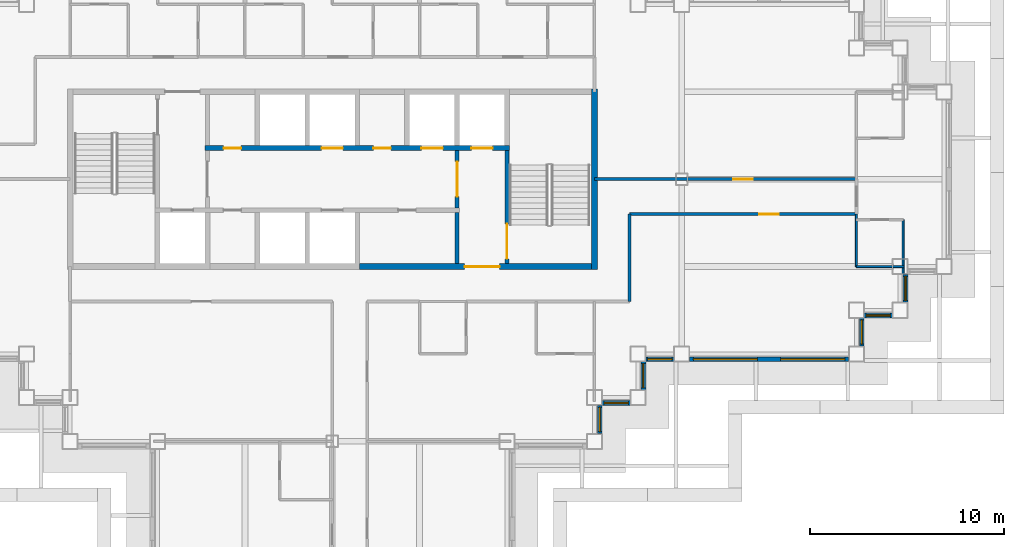
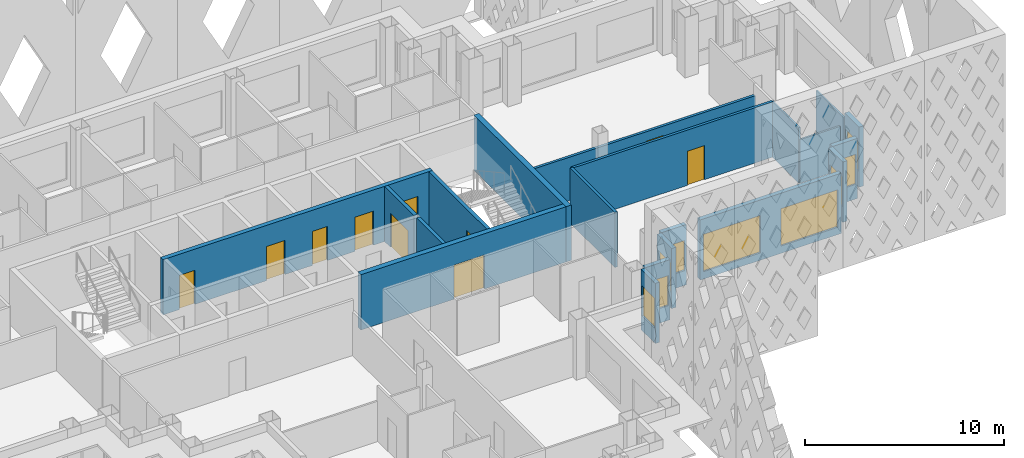
# One storey, part 6 of 18: 20 walls, 10 doors, 9 windows, 19 openings.
"""IFC4 building model written with IfcOpenShell, lengths in metres."""

from ifc_helpers import new_model, si_unit, direction, frame, frame_2d, origin, place, context, subcontext, project, spatial, rectangle, extrude, material, layer, layer_set, type_object, element, fill, save


model = new_model("IFC4")

# Units and contexts
model_context = context("Model", 3, precision=1e-05, world=origin(), true_north=direction((0.0, 1.0)))
body_context = subcontext(model_context, "Body", "Model", "MODEL_VIEW")
ifc_project = project(units=[si_unit("LENGTHUNIT", "METRE"), si_unit("AREAUNIT", "SQUARE_METRE"), si_unit("VOLUMEUNIT", "CUBIC_METRE"), si_unit("PLANEANGLEUNIT", "RADIAN"), si_unit("MASSUNIT", "GRAM", prefix="KILO")], contexts=[model_context])

# Site, building, storey
site_placement = place(None, origin())
site = spatial("IfcSite", under=ifc_project, at=site_placement, CompositionType="ELEMENT")
building_placement = place(site_placement, origin())
building = spatial("IfcBuilding", under=site, at=building_placement, Name="Caravel Reach Hotel and Residences", CompositionType="ELEMENT")
storey_placement = place(building_placement, frame((0.0, 0.0, 165.39990234375)))
storey = spatial("IfcBuildingStorey", under=building, at=storey_placement, Name="L41", CompositionType="ELEMENT", Elevation=165.39990234375)

# Wall
ifc_material_1 = material(Name="Autoclaved aerated block wall")
ifc_layer_1 = layer(ifc_material_1, 0.199951171875)
ifc_layer_set_1 = layer_set([ifc_layer_1], Name="Compartment wall 200 mm EI 120")
wall_type_1 = type_object("IfcWallType", Name="Compartment wall 200 mm EI 120", PredefinedType="PARTITIONING", material=ifc_layer_set_1)
wall_1_placement = place(storey_placement, frame((37.928466796875, 22.64990234375, 0.0), z_axis=(0.0, 0.0, 1.0), x_axis=(0.0, 1.0, 0.0)))
element("IfcWall", 1, at=wall_1_placement, inside=storey, type_object=wall_type_1, Name="L41 store partition", PredefinedType="PARTITIONING", context=body_context, shape_type="SweptSolid", body=[
    extrude(rectangle(XDim=2.625, YDim=0.199951171875, at=frame_2d((1.3125, 0.0))), origin(), (0.0, 0.0, 1.0), 3.400146484375),
])

# Wall, opening, door
ifc_material_2 = material(Name="Concrete C60", Category="concrete")
ifc_layer_2 = layer(ifc_material_2, 0.300048828125)
ifc_layer_set_2 = layer_set([ifc_layer_2], Name="Core wall 300 mm EI 120")
wall_type_2 = type_object("IfcWallType", Name="Core wall 300 mm EI 120", PredefinedType="SHEAR", material=ifc_layer_set_2)
wall_2_placement = place(storey_placement, frame((32.91064453125, 22.5, 0.0), z_axis=(0.0, 0.0, 1.0), x_axis=(1.0, 0.0, 0.0)))
wall_2 = element("IfcWall", 2, at=wall_2_placement, inside=storey, type_object=wall_type_2, Name="L41 core wall S3", PredefinedType="SHEAR", context=body_context, shape_type="SweptSolid", body=[
    extrude(rectangle(XDim=11.939453125, YDim=0.300048828125, at=frame_2d((5.9697265625, 0.0))), origin(), (0.0, 0.0, 1.0), 3.400146484375),
])
opening_1_placement = place(wall_2_placement, frame((5.403564453125, 0.0, 0.0)))
opening_1 = element("IfcOpeningElement", 3, at=opening_1_placement, cuts=wall_2, Name="Opening D41-015", PredefinedType="OPENING", context=body_context, shape_type="SweptSolid", body=[
    extrude(rectangle(XDim=1.800048828125, YDim=2.10009765625, at=frame_2d((0.89990234375, 1.050048828125))), frame((0.0, 0.159912109375, 0.0), z_axis=(0.0, -1.0, 0.0), x_axis=(1.0, 0.0, 0.0)), (0.0, 0.0, 1.0), 0.320068359375),
])
ifc_material_3 = material(Name="Steel fire door leaf", Category="steel")
door_type_1 = type_object("IfcDoorType", Name="Fire lobby door pair 1800 x 2100 EI 90", OperationType="DOUBLE_DOOR_SINGLE_SWING", PredefinedType="DOOR", material=ifc_material_3)
door_1_placement = place(opening_1_placement, origin())
door_1 = element("IfcDoor", 4, at=door_1_placement, inside=storey, type_object=door_type_1, Name="lobby S door pair to corridor", OperationType="DOUBLE_DOOR_SINGLE_SWING", OverallHeight=2.10009765625, OverallWidth=1.800048828125, PredefinedType="DOOR", context=body_context, shape_type="SweptSolid", body=[
    extrude(rectangle(XDim=1.800048828125, YDim=2.10009765625, at=frame_2d((0.89990234375, 1.050048828125))), frame((0.0, 0.02490234375, 0.0), z_axis=(0.0, -1.0, 0.0), x_axis=(1.0, 0.0, 0.0)), (0.0, 0.0, 1.0), 0.050048828125),
])
fill(opening_1, door_1)

# Wall
wall_3_placement = place(storey_placement, frame((45.0, 22.35009765625, 0.0), z_axis=(0.0, 0.0, 1.0), x_axis=(0.0, 1.0, 0.0)))
element("IfcWall", 5, at=wall_3_placement, inside=storey, type_object=wall_type_2, Name="L41 core wall E", PredefinedType="SHEAR", context=body_context, shape_type="SweptSolid", body=[
    extrude(rectangle(XDim=9.2998046875, YDim=0.300048828125, at=frame_2d((4.64990234375, 0.0))), origin(), (0.0, 0.0, 1.0), 3.400146484375),
])

# Wall, opening, door
ifc_material_4 = material(Name="Gypsum board on steel stud, fire-rated", Category="steel")
ifc_layer_3 = layer(ifc_material_4, 0.14990234375)
ifc_layer_set_3 = layer_set([ifc_layer_3], Name="Corridor wall 150 mm EI 60")
wall_type_3 = type_object("IfcWallType", Name="Corridor wall 150 mm EI 60", PredefinedType="PARTITIONING", material=ifc_layer_set_3)
wall_4_placement = place(storey_placement, frame((46.801025390625, 25.199951171875, 0.0), z_axis=(0.0, 0.0, 1.0), x_axis=(1.0, 0.0, 0.0)))
wall_4 = element("IfcWall", 6, at=wall_4_placement, inside=storey, type_object=wall_type_3, Name="L41 wall w006", PredefinedType="PARTITIONING", context=body_context, shape_type="SweptSolid", body=[
    extrude(rectangle(XDim=11.698974609375, YDim=0.14990234375, at=frame_2d((5.849609375, 0.0))), origin(), (0.0, 0.0, 1.0), 3.400146484375),
])
opening_2_placement = place(wall_4_placement, frame((6.697998046875, 0.0, 0.0)))
opening_2 = element("IfcOpeningElement", 7, at=opening_2_placement, cuts=wall_4, Name="Opening D41-031", PredefinedType="OPENING", context=body_context, shape_type="SweptSolid", body=[
    extrude(rectangle(XDim=1.0, YDim=2.10009765625, at=frame_2d((0.5, 1.050048828125))), frame((0.0, 0.0849609375, 0.0), z_axis=(0.0, -1.0, 0.0), x_axis=(1.0, 0.0, 0.0)), (0.0, 0.0, 1.0), 0.169921875),
])
ifc_material_5 = material(Name="Steel fire door leaf", Category="steel")
door_type_2 = type_object("IfcDoorType", Name="Fire door 1000 x 2100 EI 60", OperationType="SINGLE_SWING_LEFT", PredefinedType="DOOR", material=ifc_material_5)
door_2_placement = place(opening_2_placement, origin())
door_2 = element("IfcDoor", 8, at=door_2_placement, inside=storey, type_object=door_type_2, Name="door D41-031", OperationType="SINGLE_SWING_LEFT", OverallHeight=2.10009765625, OverallWidth=1.0, PredefinedType="DOOR", context=body_context, shape_type="SweptSolid", body=[
    extrude(rectangle(XDim=1.0, YDim=2.10009765625, at=frame_2d((0.5, 1.050048828125))), frame((0.0, 0.02490234375, 0.0), z_axis=(0.0, -1.0, 0.0), x_axis=(1.0, 0.0, 0.0)), (0.0, 0.0, 1.0), 0.050048828125),
])
fill(opening_2, door_2)

wall_5_placement = place(storey_placement, frame((45.0, 27.0, 0.0), z_axis=(0.0, 0.0, 1.0), x_axis=(1.0, 0.0, 0.0)))
wall_5 = element("IfcWall", 9, at=wall_5_placement, inside=storey, type_object=wall_type_3, Name="L41 wall w009", PredefinedType="PARTITIONING", context=body_context, shape_type="SweptSolid", body=[
    extrude(rectangle(XDim=13.5, YDim=0.14990234375, at=frame_2d((6.75, 0.0))), origin(), (0.0, 0.0, 1.0), 2.68017578125),
])
opening_3_placement = place(wall_5_placement, frame((7.14990234375, 0.0, 0.0)))
opening_3 = element("IfcOpeningElement", 10, at=opening_3_placement, cuts=wall_5, Name="Opening D41-030", PredefinedType="OPENING", context=body_context, shape_type="SweptSolid", body=[
    extrude(rectangle(XDim=1.0, YDim=2.10009765625, at=frame_2d((0.5, 1.050048828125))), frame((0.0, 0.0849609375, 0.0), z_axis=(0.0, -1.0, 0.0), x_axis=(1.0, 0.0, 0.0)), (0.0, 0.0, 1.0), 0.169921875),
])
door_3_placement = place(opening_3_placement, origin())
door_3 = element("IfcDoor", 11, at=door_3_placement, inside=storey, type_object=door_type_2, Name="door D41-030", OperationType="SINGLE_SWING_RIGHT", OverallHeight=2.10009765625, OverallWidth=1.0, PredefinedType="DOOR", context=body_context, shape_type="SweptSolid", body=[
    extrude(rectangle(XDim=1.0, YDim=2.10009765625, at=frame_2d((0.5, 1.050048828125))), frame((0.0, 0.02490234375, 0.0), z_axis=(0.0, -1.0, 0.0), x_axis=(1.0, 0.0, 0.0)), (0.0, 0.0, 1.0), 0.050048828125),
])
fill(opening_3, door_3)

# Wall
wall_6_placement = place(storey_placement, frame((46.800048828125, 20.699951171875, 0.0), z_axis=(0.0, 0.0, 1.0), x_axis=(0.0, 1.0, 0.0)))
element("IfcWall", 12, at=wall_6_placement, inside=storey, type_object=wall_type_3, Name="L41 wall w029", PredefinedType="PARTITIONING", context=body_context, shape_type="SweptSolid", body=[
    extrude(rectangle(XDim=4.4990234375, YDim=0.14990234375, at=frame_2d((2.24951171875, 0.0))), origin(), (0.0, 0.0, 1.0), 3.400146484375),
])

# Wall, opening, window
ifc_material_6 = material(Name="Insulated rainscreen wall, aluminium cladding", Category="aluminium")
ifc_layer_4 = layer(ifc_material_6, 0.25)
ifc_layer_set_4 = layer_set([ifc_layer_4], Name="EW1 Tower rainscreen wall")
wall_type_4 = type_object("IfcWallType", Name="EW1 Tower rainscreen wall", PredefinedType="SOLIDWALL", material=ifc_layer_set_4)
wall_7_placement = place(storey_placement, frame((45.27490234375, 13.89990234375, 0.0), z_axis=(0.0, 0.0, 1.0), x_axis=(0.0, 1.0, 0.0)))
wall_7 = element("IfcWall", 13, at=wall_7_placement, inside=storey, type_object=wall_type_4, Name="External wall L41 E12.1", PredefinedType="SOLIDWALL", context=body_context, shape_type="SweptSolid", body=[
    extrude(rectangle(XDim=1.4501953125, YDim=0.25, at=frame_2d((0.72509765625, 0.0))), origin(), (0.0, 0.0, 1.0), 3.7001953125),
])
opening_4_placement = place(wall_7_placement, frame((0.10009765625, 0.0, 0.89990234375)))
opening_4 = element("IfcOpeningElement", 14, at=opening_4_placement, cuts=wall_7, Name="Opening WN13", PredefinedType="OPENING", context=body_context, shape_type="SweptSolid", body=[
    extrude(rectangle(XDim=1.25, YDim=1.85009765625, at=frame_2d((0.625, 0.925048828125))), frame((0.0, 0.135009765625, 0.0), z_axis=(0.0, -1.0, 0.0), x_axis=(1.0, 0.0, 0.0)), (0.0, 0.0, 1.0), 0.27001953125),
])
ifc_material_7 = material(Name="Dark low-e glazing in black aluminium frame", Category="aluminium")
window_type_1 = type_object("IfcWindowType", Name="Residence bedroom window 1250 x 1850", PartitioningType="SINGLE_PANEL", PredefinedType="WINDOW", material=ifc_material_7)
window_1_placement = place(opening_4_placement, origin())
window_1 = element("IfcWindow", 15, at=window_1_placement, inside=storey, type_object=window_type_1, Name="Window L41 E12.1.1", OverallHeight=1.85009765625, OverallWidth=1.25, PartitioningType="SINGLE_PANEL", PredefinedType="WINDOW", context=body_context, shape_type="SweptSolid", body=[
    extrude(rectangle(XDim=1.25, YDim=1.85009765625, at=frame_2d((0.625, 0.925048828125))), frame((0.0, 0.030029296875, 0.0), z_axis=(0.0, -1.0, 0.0), x_axis=(1.0, 0.0, 0.0)), (0.0, 0.0, 1.0), 0.06005859375),
])
fill(opening_4, window_1)

wall_8_placement = place(storey_placement, frame((45.39990234375, 15.47509765625, 0.0), z_axis=(0.0, 0.0, 1.0), x_axis=(1.0, 0.0, 0.0)))
wall_8 = element("IfcWall", 16, at=wall_8_placement, inside=storey, type_object=wall_type_4, Name="External wall L41 S13.1", PredefinedType="SOLIDWALL", context=body_context, shape_type="SweptSolid", body=[
    extrude(rectangle(XDim=1.4501953125, YDim=0.25, at=frame_2d((0.72509765625, 0.0))), origin(), (0.0, 0.0, 1.0), 3.7001953125),
])
opening_5_placement = place(wall_8_placement, frame((0.10009765625, 0.0, 0.89990234375)))
opening_5 = element("IfcOpeningElement", 17, at=opening_5_placement, cuts=wall_8, Name="Opening WN13", PredefinedType="OPENING", context=body_context, shape_type="SweptSolid", body=[
    extrude(rectangle(XDim=1.25, YDim=1.85009765625, at=frame_2d((0.625, 0.925048828125))), frame((0.0, 0.135009765625, 0.0), z_axis=(0.0, -1.0, 0.0), x_axis=(1.0, 0.0, 0.0)), (0.0, 0.0, 1.0), 0.27001953125),
])
window_2_placement = place(opening_5_placement, origin())
window_2 = element("IfcWindow", 18, at=window_2_placement, inside=storey, type_object=window_type_1, Name="Window L41 S13.1.1", OverallHeight=1.85009765625, OverallWidth=1.25, PartitioningType="SINGLE_PANEL", PredefinedType="WINDOW", context=body_context, shape_type="SweptSolid", body=[
    extrude(rectangle(XDim=1.25, YDim=1.85009765625, at=frame_2d((0.625, 0.925048828125))), frame((0.0, 0.030029296875, 0.0), z_axis=(0.0, -1.0, 0.0), x_axis=(1.0, 0.0, 0.0)), (0.0, 0.0, 1.0), 0.06005859375),
])
fill(opening_5, window_2)

wall_9_placement = place(storey_placement, frame((47.52490234375, 16.14990234375, 0.0), z_axis=(0.0, 0.0, 1.0), x_axis=(0.0, 1.0, 0.0)))
wall_9 = element("IfcWall", 19, at=wall_9_placement, inside=storey, type_object=wall_type_4, Name="External wall L41 E14.1", PredefinedType="SOLIDWALL", context=body_context, shape_type="SweptSolid", body=[
    extrude(rectangle(XDim=1.4501953125, YDim=0.25, at=frame_2d((0.72509765625, 0.0))), origin(), (0.0, 0.0, 1.0), 3.7001953125),
])
opening_6_placement = place(wall_9_placement, frame((0.10009765625, 0.0, 0.89990234375)))
opening_6 = element("IfcOpeningElement", 20, at=opening_6_placement, cuts=wall_9, Name="Opening WN13", PredefinedType="OPENING", context=body_context, shape_type="SweptSolid", body=[
    extrude(rectangle(XDim=1.25, YDim=1.85009765625, at=frame_2d((0.625, 0.925048828125))), frame((0.0, 0.135009765625, 0.0), z_axis=(0.0, -1.0, 0.0), x_axis=(1.0, 0.0, 0.0)), (0.0, 0.0, 1.0), 0.27001953125),
])
window_3_placement = place(opening_6_placement, origin())
window_3 = element("IfcWindow", 21, at=window_3_placement, inside=storey, type_object=window_type_1, Name="Window L41 E14.1.1", OverallHeight=1.85009765625, OverallWidth=1.25, PartitioningType="SINGLE_PANEL", PredefinedType="WINDOW", context=body_context, shape_type="SweptSolid", body=[
    extrude(rectangle(XDim=1.25, YDim=1.85009765625, at=frame_2d((0.625, 0.925048828125))), frame((0.0, 0.030029296875, 0.0), z_axis=(0.0, -1.0, 0.0), x_axis=(1.0, 0.0, 0.0)), (0.0, 0.0, 1.0), 0.06005859375),
])
fill(opening_6, window_3)

wall_10_placement = place(storey_placement, frame((47.64990234375, 17.72509765625, 0.0), z_axis=(0.0, 0.0, 1.0), x_axis=(1.0, 0.0, 0.0)))
wall_10 = element("IfcWall", 22, at=wall_10_placement, inside=storey, type_object=wall_type_4, Name="External wall L41 S15.1", PredefinedType="SOLIDWALL", context=body_context, shape_type="SweptSolid", body=[
    extrude(rectangle(XDim=1.4501953125, YDim=0.25, at=frame_2d((0.72509765625, 0.0))), origin(), (0.0, 0.0, 1.0), 3.7001953125),
])
opening_7_placement = place(wall_10_placement, frame((0.10009765625, 0.0, 0.89990234375)))
opening_7 = element("IfcOpeningElement", 23, at=opening_7_placement, cuts=wall_10, Name="Opening WN13", PredefinedType="OPENING", context=body_context, shape_type="SweptSolid", body=[
    extrude(rectangle(XDim=1.25, YDim=1.85009765625, at=frame_2d((0.625, 0.925048828125))), frame((0.0, 0.135009765625, 0.0), z_axis=(0.0, -1.0, 0.0), x_axis=(1.0, 0.0, 0.0)), (0.0, 0.0, 1.0), 0.27001953125),
])
window_4_placement = place(opening_7_placement, origin())
window_4 = element("IfcWindow", 24, at=window_4_placement, inside=storey, type_object=window_type_1, Name="Window L41 S15.1.1", OverallHeight=1.85009765625, OverallWidth=1.25, PartitioningType="SINGLE_PANEL", PredefinedType="WINDOW", context=body_context, shape_type="SweptSolid", body=[
    extrude(rectangle(XDim=1.25, YDim=1.85009765625, at=frame_2d((0.625, 0.925048828125))), frame((0.0, 0.030029296875, 0.0), z_axis=(0.0, -1.0, 0.0), x_axis=(1.0, 0.0, 0.0)), (0.0, 0.0, 1.0), 0.06005859375),
])
fill(opening_7, window_4)

# Wall, openings, windows
wall_11_placement = place(storey_placement, frame((49.89990234375, 17.72509765625, 0.0), z_axis=(0.0, 0.0, 1.0), x_axis=(1.0, 0.0, 0.0)))
wall_11 = element("IfcWall", 25, at=wall_11_placement, inside=storey, type_object=wall_type_4, Name="External wall L41 S15.2", PredefinedType="SOLIDWALL", context=body_context, shape_type="SweptSolid", body=[
    extrude(rectangle(XDim=8.2001953125, YDim=0.25, at=frame_2d((4.10009765625, 0.0))), origin(), (0.0, 0.0, 1.0), 3.7001953125),
])
opening_8_placement = place(wall_11_placement, frame((0.199951171875, 0.0, 0.449951171875)))
opening_8 = element("IfcOpeningElement", 26, at=opening_8_placement, cuts=wall_11, Name="Opening WN15", PredefinedType="OPENING", context=body_context, shape_type="SweptSolid", body=[
    extrude(rectangle(XDim=3.300048828125, YDim=2.300048828125, at=frame_2d((1.64990234375, 1.14990234375))), frame((0.0, 0.135009765625, 0.0), z_axis=(0.0, -1.0, 0.0), x_axis=(1.0, 0.0, 0.0)), (0.0, 0.0, 1.0), 0.27001953125),
])
opening_9_placement = place(wall_11_placement, frame((4.699951171875, 0.0, 0.449951171875)))
opening_9 = element("IfcOpeningElement", 27, at=opening_9_placement, cuts=wall_11, Name="Opening WN15", PredefinedType="OPENING", context=body_context, shape_type="SweptSolid", body=[
    extrude(rectangle(XDim=3.300048828125, YDim=2.300048828125, at=frame_2d((1.64990234375, 1.14990234375))), frame((0.0, 0.135009765625, 0.0), z_axis=(0.0, -1.0, 0.0), x_axis=(1.0, 0.0, 0.0)), (0.0, 0.0, 1.0), 0.27001953125),
])
ifc_material_8 = material(Name="Dark low-e glazing in black aluminium frame", Category="aluminium")
window_type_2 = type_object("IfcWindowType", Name="Residence living window 3300 x 2300", PartitioningType="SINGLE_PANEL", PredefinedType="WINDOW", material=ifc_material_8)
window_5_placement = place(opening_8_placement, origin())
window_5 = element("IfcWindow", 28, at=window_5_placement, inside=storey, type_object=window_type_2, Name="Window L41 S15.2.1", OverallHeight=2.300048828125, OverallWidth=3.300048828125, PartitioningType="SINGLE_PANEL", PredefinedType="WINDOW", context=body_context, shape_type="SweptSolid", body=[
    extrude(rectangle(XDim=3.300048828125, YDim=2.300048828125, at=frame_2d((1.64990234375, 1.14990234375))), frame((0.0, 0.030029296875, 0.0), z_axis=(0.0, -1.0, 0.0), x_axis=(1.0, 0.0, 0.0)), (0.0, 0.0, 1.0), 0.06005859375),
])
fill(opening_8, window_5)
window_6_placement = place(opening_9_placement, origin())
window_6 = element("IfcWindow", 29, at=window_6_placement, inside=storey, type_object=window_type_2, Name="Window L41 S15.2.2", OverallHeight=2.300048828125, OverallWidth=3.300048828125, PartitioningType="SINGLE_PANEL", PredefinedType="WINDOW", context=body_context, shape_type="SweptSolid", body=[
    extrude(rectangle(XDim=3.300048828125, YDim=2.300048828125, at=frame_2d((1.64990234375, 1.14990234375))), frame((0.0, 0.030029296875, 0.0), z_axis=(0.0, -1.0, 0.0), x_axis=(1.0, 0.0, 0.0)), (0.0, 0.0, 1.0), 0.06005859375),
])
fill(opening_9, window_6)

# Wall, opening, window
wall_12_placement = place(storey_placement, frame((58.77490234375, 18.39990234375, 0.0), z_axis=(0.0, 0.0, 1.0), x_axis=(0.0, 1.0, 0.0)))
wall_12 = element("IfcWall", 30, at=wall_12_placement, inside=storey, type_object=wall_type_4, Name="External wall L41 E16.1", PredefinedType="SOLIDWALL", context=body_context, shape_type="SweptSolid", body=[
    extrude(rectangle(XDim=1.4501953125, YDim=0.25, at=frame_2d((0.72509765625, 0.0))), origin(), (0.0, 0.0, 1.0), 3.7001953125),
])
opening_10_placement = place(wall_12_placement, frame((0.10009765625, 0.0, 0.89990234375)))
opening_10 = element("IfcOpeningElement", 31, at=opening_10_placement, cuts=wall_12, Name="Opening WN13", PredefinedType="OPENING", context=body_context, shape_type="SweptSolid", body=[
    extrude(rectangle(XDim=1.25, YDim=1.85009765625, at=frame_2d((0.625, 0.925048828125))), frame((0.0, 0.135009765625, 0.0), z_axis=(0.0, -1.0, 0.0), x_axis=(1.0, 0.0, 0.0)), (0.0, 0.0, 1.0), 0.27001953125),
])
window_7_placement = place(opening_10_placement, origin())
window_7 = element("IfcWindow", 32, at=window_7_placement, inside=storey, type_object=window_type_1, Name="Window L41 E16.1.1", OverallHeight=1.85009765625, OverallWidth=1.25, PartitioningType="SINGLE_PANEL", PredefinedType="WINDOW", context=body_context, shape_type="SweptSolid", body=[
    extrude(rectangle(XDim=1.25, YDim=1.85009765625, at=frame_2d((0.625, 0.925048828125))), frame((0.0, 0.030029296875, 0.0), z_axis=(0.0, -1.0, 0.0), x_axis=(1.0, 0.0, 0.0)), (0.0, 0.0, 1.0), 0.06005859375),
])
fill(opening_10, window_7)

wall_13_placement = place(storey_placement, frame((58.89990234375, 19.97509765625, 0.0), z_axis=(0.0, 0.0, 1.0), x_axis=(1.0, 0.0, 0.0)))
wall_13 = element("IfcWall", 33, at=wall_13_placement, inside=storey, type_object=wall_type_4, Name="External wall L41 S17.1", PredefinedType="SOLIDWALL", context=body_context, shape_type="SweptSolid", body=[
    extrude(rectangle(XDim=1.4501953125, YDim=0.25, at=frame_2d((0.72509765625, 0.0))), origin(), (0.0, 0.0, 1.0), 3.7001953125),
])
opening_11_placement = place(wall_13_placement, frame((0.10009765625, 0.0, 0.89990234375)))
opening_11 = element("IfcOpeningElement", 34, at=opening_11_placement, cuts=wall_13, Name="Opening WN13", PredefinedType="OPENING", context=body_context, shape_type="SweptSolid", body=[
    extrude(rectangle(XDim=1.25, YDim=1.85009765625, at=frame_2d((0.625, 0.925048828125))), frame((0.0, 0.135009765625, 0.0), z_axis=(0.0, -1.0, 0.0), x_axis=(1.0, 0.0, 0.0)), (0.0, 0.0, 1.0), 0.27001953125),
])
window_8_placement = place(opening_11_placement, origin())
window_8 = element("IfcWindow", 35, at=window_8_placement, inside=storey, type_object=window_type_1, Name="Window L41 S17.1.1", OverallHeight=1.85009765625, OverallWidth=1.25, PartitioningType="SINGLE_PANEL", PredefinedType="WINDOW", context=body_context, shape_type="SweptSolid", body=[
    extrude(rectangle(XDim=1.25, YDim=1.85009765625, at=frame_2d((0.625, 0.925048828125))), frame((0.0, 0.030029296875, 0.0), z_axis=(0.0, -1.0, 0.0), x_axis=(1.0, 0.0, 0.0)), (0.0, 0.0, 1.0), 0.06005859375),
])
fill(opening_11, window_8)

wall_14_placement = place(storey_placement, frame((61.02490234375, 20.64990234375, 0.0), z_axis=(0.0, 0.0, 1.0), x_axis=(0.0, 1.0, 0.0)))
wall_14 = element("IfcWall", 36, at=wall_14_placement, inside=storey, type_object=wall_type_4, Name="External wall L41 E18.1", PredefinedType="SOLIDWALL", context=body_context, shape_type="SweptSolid", body=[
    extrude(rectangle(XDim=1.4501953125, YDim=0.25, at=frame_2d((0.72509765625, 0.0))), origin(), (0.0, 0.0, 1.0), 3.7001953125),
])
opening_12_placement = place(wall_14_placement, frame((0.10009765625, 0.0, 0.89990234375)))
opening_12 = element("IfcOpeningElement", 37, at=opening_12_placement, cuts=wall_14, Name="Opening WN13", PredefinedType="OPENING", context=body_context, shape_type="SweptSolid", body=[
    extrude(rectangle(XDim=1.25, YDim=1.85009765625, at=frame_2d((0.625, 0.925048828125))), frame((0.0, 0.135009765625, 0.0), z_axis=(0.0, -1.0, 0.0), x_axis=(1.0, 0.0, 0.0)), (0.0, 0.0, 1.0), 0.27001953125),
])
window_9_placement = place(opening_12_placement, origin())
window_9 = element("IfcWindow", 38, at=window_9_placement, inside=storey, type_object=window_type_1, Name="Window L41 E18.1.1", OverallHeight=1.85009765625, OverallWidth=1.25, PartitioningType="SINGLE_PANEL", PredefinedType="WINDOW", context=body_context, shape_type="SweptSolid", body=[
    extrude(rectangle(XDim=1.25, YDim=1.85009765625, at=frame_2d((0.625, 0.925048828125))), frame((0.0, 0.030029296875, 0.0), z_axis=(0.0, -1.0, 0.0), x_axis=(1.0, 0.0, 0.0)), (0.0, 0.0, 1.0), 0.06005859375),
])
fill(opening_12, window_9)

# Wall, opening, door
ifc_material_9 = material(Name="Autoclaved aerated block wall")
ifc_layer_5 = layer(ifc_material_9, 0.199951171875)
ifc_layer_set_5 = layer_set([ifc_layer_5], Name="Fire lobby wall 200 mm EI 120")
wall_type_5 = type_object("IfcWallType", Name="Fire lobby wall 200 mm EI 120", PredefinedType="PARTITIONING", material=ifc_layer_set_5)
wall_15_placement = place(storey_placement, frame((37.928466796875, 25.52490234375, 0.0), z_axis=(0.0, 0.0, 1.0), x_axis=(0.0, 1.0, 0.0)))
wall_15 = element("IfcWall", 39, at=wall_15_placement, inside=storey, type_object=wall_type_5, Name="L41 lobby E wall", PredefinedType="PARTITIONING", context=body_context, shape_type="SweptSolid", body=[
    extrude(rectangle(XDim=2.9501953125, YDim=0.199951171875, at=frame_2d((1.47509765625, 0.0))), origin(), (0.0, 0.0, 1.0), 3.400146484375),
])
opening_13_placement = place(wall_15_placement, frame((0.574951171875, 0.0, 0.0)))
opening_13 = element("IfcOpeningElement", 40, at=opening_13_placement, cuts=wall_15, Name="Opening D41-013", PredefinedType="OPENING", context=body_context, shape_type="SweptSolid", body=[
    extrude(rectangle(XDim=1.800048828125, YDim=2.10009765625, at=frame_2d((0.89990234375, 1.050048828125))), frame((0.0, 0.10986328125, 0.0), z_axis=(0.0, -1.0, 0.0), x_axis=(1.0, 0.0, 0.0)), (0.0, 0.0, 1.0), 0.219970703125),
])
door_4_placement = place(opening_13_placement, origin())
door_4 = element("IfcDoor", 41, at=door_4_placement, inside=storey, type_object=door_type_1, Name="lobby E door pair", OperationType="DOUBLE_DOOR_SINGLE_SWING", OverallHeight=2.10009765625, OverallWidth=1.800048828125, PredefinedType="DOOR", context=body_context, shape_type="SweptSolid", body=[
    extrude(rectangle(XDim=1.800048828125, YDim=2.10009765625, at=frame_2d((0.89990234375, 1.050048828125))), frame((0.0, 0.02490234375, 0.0), z_axis=(0.0, -1.0, 0.0), x_axis=(1.0, 0.0, 0.0)), (0.0, 0.0, 1.0), 0.050048828125),
])
fill(opening_13, door_4)

# Walls
ifc_material_10 = material(Name="Gypsum board on steel stud", Category="steel")
ifc_layer_6 = layer(ifc_material_10, 0.10009765625)
ifc_layer_set_6 = layer_set([ifc_layer_6], Name="Partition 100 mm")
wall_type_6 = type_object("IfcWallType", Name="Partition 100 mm", PredefinedType="PARTITIONING", material=ifc_layer_set_6)
wall_16_placement = place(storey_placement, frame((58.5009765625, 22.5, 0.0), z_axis=(0.0, 0.0, 1.0), x_axis=(1.0, 0.0, 0.0)))
element("IfcWall", 42, at=wall_16_placement, inside=storey, type_object=wall_type_6, Name="L41 wall w038", PredefinedType="PARTITIONING", context=body_context, shape_type="SweptSolid", body=[
    extrude(rectangle(XDim=2.43896484375, YDim=0.10009765625, at=frame_2d((1.219482421875, 0.0))), origin(), (0.0, 0.0, 1.0), 2.68017578125),
])
wall_17_placement = place(storey_placement, frame((58.5, 22.5, 0.0), z_axis=(0.0, 0.0, 1.0), x_axis=(0.0, 1.0, 0.0)))
element("IfcWall", 43, at=wall_17_placement, inside=storey, type_object=wall_type_6, Name="L41 wall w073", PredefinedType="PARTITIONING", context=body_context, shape_type="SweptSolid", body=[
    extrude(rectangle(XDim=2.699951171875, YDim=0.10009765625, at=frame_2d((1.35009765625, 0.0))), origin(), (0.0, 0.0, 1.0), 3.400146484375),
])
wall_18_placement = place(storey_placement, frame((60.89990234375, 22.10009765625, 0.0), z_axis=(0.0, 0.0, 1.0), x_axis=(0.0, 1.0, 0.0)))
element("IfcWall", 44, at=wall_18_placement, inside=storey, type_object=wall_type_6, Name="L41 wall w074", PredefinedType="PARTITIONING", context=body_context, shape_type="SweptSolid", body=[
    extrude(rectangle(XDim=2.7998046875, YDim=0.10009765625, at=frame_2d((1.39990234375, 0.0))), origin(), (0.0, 0.0, 1.0), 3.400146484375),
])

# Wall, openings, doors
ifc_material_11 = material(Name="Concrete C60", Category="concrete")
ifc_layer_7 = layer(ifc_material_11, 0.25)
ifc_layer_set_7 = layer_set([ifc_layer_7], Name="Shaft wall 250 mm EI 120")
wall_type_7 = type_object("IfcWallType", Name="Shaft wall 250 mm EI 120", PredefinedType="SHEAR", material=ifc_layer_set_7)
wall_19_placement = place(storey_placement, frame((24.946533203125, 28.60009765625, 0.0), z_axis=(0.0, 0.0, 1.0), x_axis=(1.0, 0.0, 0.0)))
wall_19 = element("IfcWall", 45, at=wall_19_placement, inside=storey, type_object=wall_type_7, Name="L41 lobby wall N1", PredefinedType="SHEAR", context=body_context, shape_type="SweptSolid", body=[
    extrude(rectangle(XDim=15.678466796875, YDim=0.25, at=frame_2d((7.83935546875, 0.0))), origin(), (0.0, 0.0, 1.0), 3.400146484375),
])
opening_14_placement = place(wall_19_placement, frame((6.003662109375, 0.0, 0.0)))
opening_14 = element("IfcOpeningElement", 46, at=opening_14_placement, cuts=wall_19, Name="Opening D41-002", PredefinedType="OPENING", context=body_context, shape_type="SweptSolid", body=[
    extrude(rectangle(XDim=1.10009765625, YDim=2.10009765625, at=frame_2d((0.550048828125, 1.050048828125))), frame((0.0, 0.135009765625, 0.0), z_axis=(0.0, -1.0, 0.0), x_axis=(1.0, 0.0, 0.0)), (0.0, 0.0, 1.0), 0.27001953125),
])
opening_15_placement = place(wall_19_placement, frame((11.146484375, 0.0, 0.0)))
opening_15 = element("IfcOpeningElement", 47, at=opening_15_placement, cuts=wall_19, Name="Opening D41-003", PredefinedType="OPENING", context=body_context, shape_type="SweptSolid", body=[
    extrude(rectangle(XDim=1.10009765625, YDim=2.10009765625, at=frame_2d((0.550048828125, 1.050048828125))), frame((0.0, 0.135009765625, 0.0), z_axis=(0.0, -1.0, 0.0), x_axis=(1.0, 0.0, 0.0)), (0.0, 0.0, 1.0), 0.27001953125),
])
opening_16_placement = place(wall_19_placement, frame((13.718017578125, 0.0, 0.0)))
opening_16 = element("IfcOpeningElement", 48, at=opening_16_placement, cuts=wall_19, Name="Opening D41-005", PredefinedType="OPENING", context=body_context, shape_type="SweptSolid", body=[
    extrude(rectangle(XDim=1.10009765625, YDim=2.10009765625, at=frame_2d((0.550048828125, 1.050048828125))), frame((0.0, 0.135009765625, 0.0), z_axis=(0.0, -1.0, 0.0), x_axis=(1.0, 0.0, 0.0)), (0.0, 0.0, 1.0), 0.27001953125),
])
opening_17_placement = place(wall_19_placement, frame((0.960693359375, 0.0, 0.0)))
opening_17 = element("IfcOpeningElement", 49, at=opening_17_placement, cuts=wall_19, Name="Opening D41-008", PredefinedType="OPENING", context=body_context, shape_type="SweptSolid", body=[
    extrude(rectangle(XDim=0.89990234375, YDim=2.10009765625, at=frame_2d((0.449951171875, 1.050048828125))), frame((0.0, 0.135009765625, 0.0), z_axis=(0.0, -1.0, 0.0), x_axis=(1.0, 0.0, 0.0)), (0.0, 0.0, 1.0), 0.27001953125),
])
opening_18_placement = place(wall_19_placement, frame((8.675048828125, 0.0, 0.0)))
opening_18 = element("IfcOpeningElement", 50, at=opening_18_placement, cuts=wall_19, Name="Opening D41-009", PredefinedType="OPENING", context=body_context, shape_type="SweptSolid", body=[
    extrude(rectangle(XDim=0.89990234375, YDim=2.10009765625, at=frame_2d((0.449951171875, 1.050048828125))), frame((0.0, 0.135009765625, 0.0), z_axis=(0.0, -1.0, 0.0), x_axis=(1.0, 0.0, 0.0)), (0.0, 0.0, 1.0), 0.27001953125),
])
ifc_material_12 = material(Name="Stainless steel landing door", Category="steel")
door_type_3 = type_object("IfcDoorType", Name="Landing door LD 1100 x 2100 sliding", OperationType="DOUBLE_DOOR_SLIDING", PredefinedType="DOOR", material=ifc_material_12)
door_5_placement = place(opening_14_placement, origin())
door_5 = element("IfcDoor", 51, at=door_5_placement, inside=storey, type_object=door_type_3, Name="MP2 landing door", OperationType="DOUBLE_DOOR_SLIDING", OverallHeight=2.10009765625, OverallWidth=1.10009765625, PredefinedType="DOOR", context=body_context, shape_type="SweptSolid", body=[
    extrude(rectangle(XDim=1.10009765625, YDim=2.10009765625, at=frame_2d((0.550048828125, 1.050048828125))), frame((0.0, 0.02490234375, 0.0), z_axis=(0.0, -1.0, 0.0), x_axis=(1.0, 0.0, 0.0)), (0.0, 0.0, 1.0), 0.050048828125),
])
fill(opening_14, door_5)
door_6_placement = place(opening_15_placement, origin())
door_6 = element("IfcDoor", 52, at=door_6_placement, inside=storey, type_object=door_type_3, Name="MP3 landing door", OperationType="DOUBLE_DOOR_SLIDING", OverallHeight=2.10009765625, OverallWidth=1.10009765625, PredefinedType="DOOR", context=body_context, shape_type="SweptSolid", body=[
    extrude(rectangle(XDim=1.10009765625, YDim=2.10009765625, at=frame_2d((0.550048828125, 1.050048828125))), frame((0.0, 0.02490234375, 0.0), z_axis=(0.0, -1.0, 0.0), x_axis=(1.0, 0.0, 0.0)), (0.0, 0.0, 1.0), 0.050048828125),
])
fill(opening_15, door_6)
door_7_placement = place(opening_16_placement, origin())
door_7 = element("IfcDoor", 53, at=door_7_placement, inside=storey, type_object=door_type_3, Name="FL2 landing door", OperationType="DOUBLE_DOOR_SLIDING", OverallHeight=2.10009765625, OverallWidth=1.10009765625, PredefinedType="DOOR", context=body_context, shape_type="SweptSolid", body=[
    extrude(rectangle(XDim=1.10009765625, YDim=2.10009765625, at=frame_2d((0.550048828125, 1.050048828125))), frame((0.0, 0.02490234375, 0.0), z_axis=(0.0, -1.0, 0.0), x_axis=(1.0, 0.0, 0.0)), (0.0, 0.0, 1.0), 0.050048828125),
])
fill(opening_16, door_7)
ifc_material_13 = material(Name="Steel fire door leaf", Category="steel")
door_type_4 = type_object("IfcDoorType", Name="Riser door 900 x 2100 EI 60", OperationType="SINGLE_SWING_LEFT", PredefinedType="DOOR", material=ifc_material_13)
door_8_placement = place(opening_17_placement, origin())
door_8 = element("IfcDoor", 54, at=door_8_placement, inside=storey, type_object=door_type_4, Name="Package store door", OperationType="SINGLE_SWING_LEFT", OverallHeight=2.10009765625, OverallWidth=0.89990234375, PredefinedType="DOOR", context=body_context, shape_type="SweptSolid", body=[
    extrude(rectangle(XDim=0.89990234375, YDim=2.10009765625, at=frame_2d((0.449951171875, 1.050048828125))), frame((0.0, 0.02490234375, 0.0), z_axis=(0.0, -1.0, 0.0), x_axis=(1.0, 0.0, 0.0)), (0.0, 0.0, 1.0), 0.050048828125),
])
fill(opening_17, door_8)
door_9_placement = place(opening_18_placement, origin())
door_9 = element("IfcDoor", 55, at=door_9_placement, inside=storey, type_object=door_type_4, Name="Water tank room door", OperationType="SINGLE_SWING_LEFT", OverallHeight=2.10009765625, OverallWidth=0.89990234375, PredefinedType="DOOR", context=body_context, shape_type="SweptSolid", body=[
    extrude(rectangle(XDim=0.89990234375, YDim=2.10009765625, at=frame_2d((0.449951171875, 1.050048828125))), frame((0.0, 0.02490234375, 0.0), z_axis=(0.0, -1.0, 0.0), x_axis=(1.0, 0.0, 0.0)), (0.0, 0.0, 1.0), 0.050048828125),
])
fill(opening_18, door_9)

# Wall, opening, door
ifc_material_14 = material(Name="Concrete C60", Category="concrete")
ifc_layer_8 = layer(ifc_material_14, 0.199951171875)
ifc_layer_set_8 = layer_set([ifc_layer_8], Name="Stair enclosure wall 200 mm EI 120")
wall_type_8 = type_object("IfcWallType", Name="Stair enclosure wall 200 mm EI 120", PredefinedType="SHEAR", material=ifc_layer_set_8)
wall_20_placement = place(storey_placement, frame((40.5, 22.64990234375, 0.0), z_axis=(0.0, 0.0, 1.0), x_axis=(0.0, 1.0, 0.0)))
wall_20 = element("IfcWall", 56, at=wall_20_placement, inside=storey, type_object=wall_type_8, Name="L41 stair B wall", PredefinedType="SHEAR", context=body_context, shape_type="SweptSolid", body=[
    extrude(rectangle(XDim=5.8251953125, YDim=0.199951171875, at=frame_2d((2.91259765625, 0.0))), origin(), (0.0, 0.0, 1.0), 3.400146484375),
])
opening_19_placement = place(wall_20_placement, frame((0.25, 0.0, 0.0)))
opening_19 = element("IfcOpeningElement", 57, at=opening_19_placement, cuts=wall_20, Name="Opening D41-011", PredefinedType="OPENING", context=body_context, shape_type="SweptSolid", body=[
    extrude(rectangle(XDim=1.800048828125, YDim=2.10009765625, at=frame_2d((0.89990234375, 1.050048828125))), frame((0.0, 0.10986328125, 0.0), z_axis=(0.0, -1.0, 0.0), x_axis=(1.0, 0.0, 0.0)), (0.0, 0.0, 1.0), 0.219970703125),
])
ifc_material_15 = material(Name="Steel fire door leaf", Category="steel")
door_type_5 = type_object("IfcDoorType", Name="Stair door pair 1800 x 2100 EI 90", OperationType="DOUBLE_DOOR_SINGLE_SWING", PredefinedType="DOOR", material=ifc_material_15)
door_10_placement = place(opening_19_placement, origin())
door_10 = element("IfcDoor", 58, at=door_10_placement, inside=storey, type_object=door_type_5, Name="stair B door pair", OperationType="DOUBLE_DOOR_SINGLE_SWING", OverallHeight=2.10009765625, OverallWidth=1.800048828125, PredefinedType="DOOR", context=body_context, shape_type="SweptSolid", body=[
    extrude(rectangle(XDim=1.800048828125, YDim=2.10009765625, at=frame_2d((0.89990234375, 1.050048828125))), frame((0.0, 0.02490234375, 0.0), z_axis=(0.0, -1.0, 0.0), x_axis=(1.0, 0.0, 0.0)), (0.0, 0.0, 1.0), 0.050048828125),
])
fill(opening_19, door_10)

save(model, "model.ifc")
